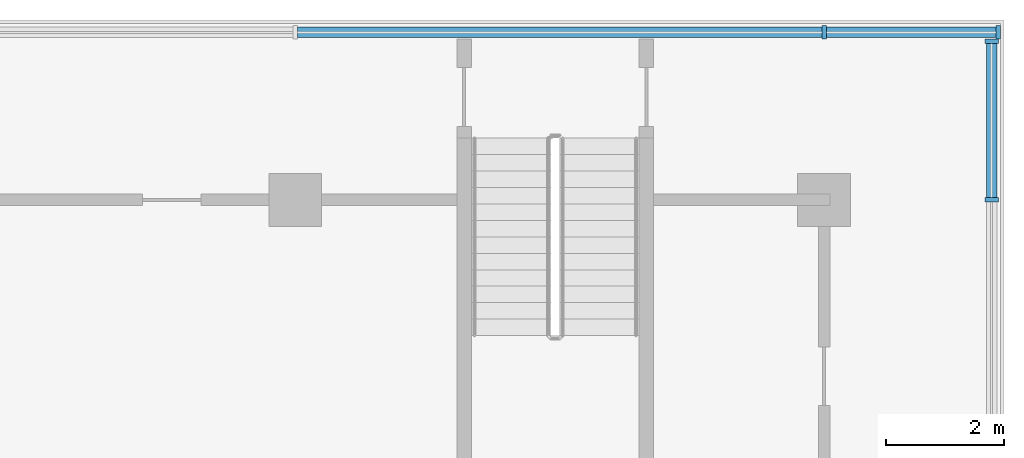
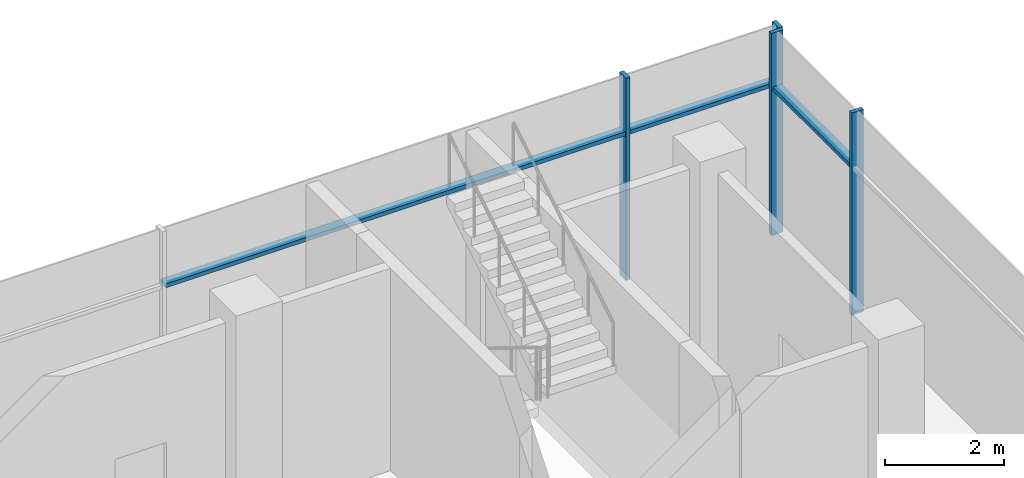
# One storey, part 9 of 22: 7 members, 2 elements without a shape of their own.
"""IFC4 building model written with IfcOpenShell, lengths in metres."""

from ifc_helpers import new_model, si_unit, direction, frame, origin, origin_2d, place, context, subcontext, project, spatial, rectangle, extrude, material, material_profile, profile_set, type_object, element, aggregate, save


model = new_model("IFC4")

# Units and contexts
model_context = context("Model", 3, precision=1e-05, world=origin(), true_north=direction((0.0, 1.0)))
body_context = subcontext(model_context, "Body", "Model", "MODEL_VIEW")
ifc_project = project(units=[si_unit("LENGTHUNIT", "METRE"), si_unit("AREAUNIT", "SQUARE_METRE"), si_unit("VOLUMEUNIT", "CUBIC_METRE"), si_unit("PLANEANGLEUNIT", "RADIAN"), si_unit("MASSUNIT", "GRAM", prefix="KILO")], contexts=[model_context])

# Site, building, storey
site_placement = place(None, origin())
site = spatial("IfcSite", under=ifc_project, at=site_placement, CompositionType="ELEMENT")
building_placement = place(site_placement, origin())
building = spatial("IfcBuilding", under=site, at=building_placement, Name="Finial Court Residences", CompositionType="ELEMENT")
storey_placement = place(building_placement, frame((0.0, 0.0, 23.5)))
storey = spatial("IfcBuildingStorey", under=building, at=storey_placement, Name="L04", CompositionType="ELEMENT", Elevation=23.5)

# Curtain wall, members
ifc_material = material(Name="Bronze anodised aluminium", Category="aluminium")
curtain_wall_type = type_object("IfcCurtainWallType", Name="Podium curtain wall", PredefinedType="NOTDEFINED", material=ifc_material)
curtain_wall_1_placement = place(storey_placement, origin())
curtain_wall_1 = element("IfcCurtainWall", 1, at=curtain_wall_1_placement, inside=storey, type_object=curtain_wall_type, Name="E-L04-CW-N1", PredefinedType="NOTDEFINED")
ifc_material_profile_1 = material_profile(ifc_material, rectangle(XDim=0.22509765625, YDim=0.080078125, at=origin_2d()), Name="CW5 mullion 80 x 225")
ifc_profile_set_1 = profile_set([ifc_material_profile_1], Name="Bronze anodised aluminium")
member_type_1 = type_object("IfcMemberType", Name="CW5 mullion 80 x 225", PredefinedType="MULLION", material=ifc_profile_set_1)
member_1_placement = place(storey_placement, frame((58.5, 34.35009765625, 0.0), z_axis=(0.0, 0.0, 1.0), x_axis=(0.0, 1.0, 0.0)))
member_1 = element("IfcMember", 2, at=member_1_placement, type_object=member_type_1, Name="CW5 mullion 14", PredefinedType="MULLION", context=body_context, shape_type="SweptSolid", body=[
    extrude(rectangle(XDim=0.22509765625, YDim=0.080078125, at=origin_2d()), origin(), (0.0, 0.0, 1.0), 4.14990234375),
])
member_2_placement = place(storey_placement, frame((61.4599609375, 34.35009765625, 0.0), z_axis=(0.0, 0.0, 1.0), x_axis=(0.0, 1.0, 0.0)))
member_2 = element("IfcMember", 3, at=member_2_placement, type_object=member_type_1, Name="CW5 mullion 15", PredefinedType="MULLION", context=body_context, shape_type="SweptSolid", body=[
    extrude(rectangle(XDim=0.22509765625, YDim=0.080078125, at=origin_2d()), origin(), (0.0, 0.0, 1.0), 4.14990234375),
])

curtain_wall_2_placement = place(storey_placement, origin())
curtain_wall_2 = element("IfcCurtainWall", 4, at=curtain_wall_2_placement, inside=storey, type_object=curtain_wall_type, Name="E-L04-CW-E2", PredefinedType="NOTDEFINED")
member_3_placement = place(storey_placement, frame((61.35009765625, 31.5, 0.0), z_axis=(0.0, 0.0, 1.0), x_axis=(-1.0, 0.0, 0.0)))
member_3 = element("IfcMember", 5, at=member_3_placement, type_object=member_type_1, Name="CW5 mullion 11", PredefinedType="MULLION", context=body_context, shape_type="SweptSolid", body=[
    extrude(rectangle(XDim=0.22509765625, YDim=0.080078125, at=origin_2d()), origin(), (0.0, 0.0, 1.0), 4.14990234375),
])
member_4_placement = place(storey_placement, frame((61.35009765625, 34.197509765625, 0.0), z_axis=(0.0, 0.0, 1.0), x_axis=(-1.0, 0.0, 0.0)))
member_4 = element("IfcMember", 6, at=member_4_placement, type_object=member_type_1, Name="CW5 mullion 12", PredefinedType="MULLION", context=body_context, shape_type="SweptSolid", body=[
    extrude(rectangle(XDim=0.22509765625, YDim=0.080078125, at=origin_2d()), origin(), (0.0, 0.0, 1.0), 4.14990234375),
])

# Member
ifc_material_profile_2 = material_profile(ifc_material, rectangle(XDim=0.175048828125, YDim=0.080078125, at=origin_2d()), Name="CW5 transom 80 x 175")
ifc_profile_set_2 = profile_set([ifc_material_profile_2], Name="Bronze anodised aluminium")
member_type_2 = type_object("IfcMemberType", Name="CW5 transom 80 x 175", PredefinedType="USERDEFINED", material=ifc_profile_set_2)
member_5_placement = place(storey_placement, frame((49.5400390625, 34.35009765625, 3.0), z_axis=(1.0, 0.0, 0.0), x_axis=(0.0, 1.0, 0.0)))
member_5 = element("IfcMember", 7, at=member_5_placement, type_object=member_type_2, Name="CW5 transom 13.1", ObjectType="TRANSOM", PredefinedType="USERDEFINED", context=body_context, shape_type="SweptSolid", body=[
    extrude(rectangle(XDim=0.175048828125, YDim=0.080078125, at=origin_2d()), origin(), (0.0, 0.0, 1.0), 8.919921875),
])

member_6_placement = place(storey_placement, frame((58.5400390625, 34.35009765625, 3.0), z_axis=(1.0, 0.0, 0.0), x_axis=(0.0, 1.0, 0.0)))
member_6 = element("IfcMember", 8, at=member_6_placement, type_object=member_type_2, Name="CW5 transom 14.1", ObjectType="TRANSOM", PredefinedType="USERDEFINED", context=body_context, shape_type="SweptSolid", body=[
    extrude(rectangle(XDim=0.175048828125, YDim=0.080078125, at=origin_2d()), origin(), (0.0, 0.0, 1.0), 2.8798828125),
])

aggregate(curtain_wall_1, [member_1, member_2, member_5, member_6])

member_7_placement = place(storey_placement, frame((61.35009765625, 31.5400390625, 3.0), z_axis=(0.0, 1.0, 0.0), x_axis=(-1.0, 0.0, 0.0)))
member_7 = element("IfcMember", 9, at=member_7_placement, type_object=member_type_2, Name="CW5 transom 11.1", ObjectType="TRANSOM", PredefinedType="USERDEFINED", context=body_context, shape_type="SweptSolid", body=[
    extrude(rectangle(XDim=0.175048828125, YDim=0.080078125, at=origin_2d()), origin(), (0.0, 0.0, 1.0), 2.617431640625),
])

aggregate(curtain_wall_2, [member_3, member_4, member_7])

save(model, "model.ifc")
